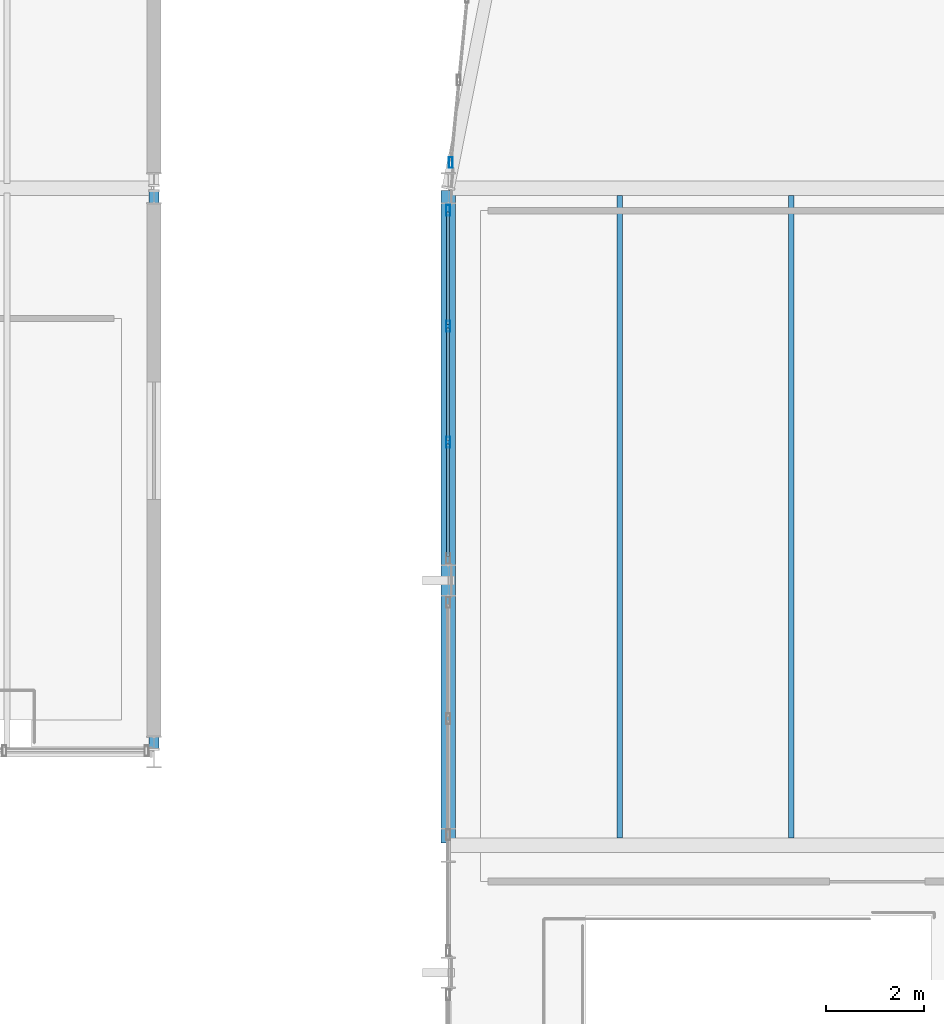
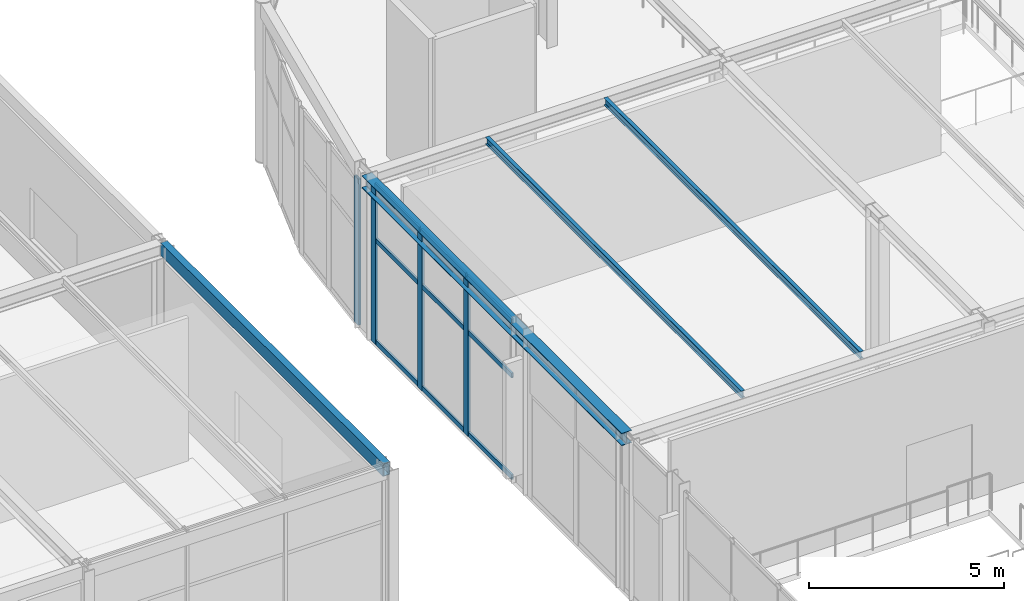
# One storey, part 53 of 195: 13 members, 4 beams, 2 elements without a shape of their own.
"""IFC4 building model written with IfcOpenShell, lengths in metres."""

from ifc_helpers import new_model, si_unit, direction, frame, origin, origin_2d, place, context, subcontext, project, spatial, hollow_rectangle, i_section, extrude, material, layer, layer_set, material_profile, profile_set, type_object, element, aggregate, save


model = new_model("IFC4")

# Units and contexts
model_context = context("Model", 3, precision=1e-05, world=origin(), true_north=direction((0.0, 1.0)))
body_context = subcontext(model_context, "Body", "Model", "MODEL_VIEW")
ifc_project = project(units=[si_unit("LENGTHUNIT", "METRE"), si_unit("AREAUNIT", "SQUARE_METRE"), si_unit("VOLUMEUNIT", "CUBIC_METRE"), si_unit("PLANEANGLEUNIT", "RADIAN"), si_unit("MASSUNIT", "GRAM", prefix="KILO")], contexts=[model_context])

# Site, building, storey
site_placement = place(None, origin())
site = spatial("IfcSite", under=ifc_project, at=site_placement, CompositionType="ELEMENT")
building_placement = place(site_placement, origin())
building = spatial("IfcBuilding", under=site, at=building_placement, Name="Marlcrest Central Station", CompositionType="ELEMENT")
storey_placement = place(building_placement, frame((0.0, 0.0, 9.800048828125)))
storey = spatial("IfcBuildingStorey", under=building, at=storey_placement, Name="L02", CompositionType="ELEMENT", Elevation=9.800048828125)

# Beams
ifc_material_1 = material(Name="Steel S355", Category="steel")
ifc_material_profile_1 = material_profile(ifc_material_1, i_section(OverallWidth=0.300048828125, OverallDepth=0.389892578125, WebThickness=0.010986328125, FlangeThickness=0.01904296875, FilletRadius=0.027099609375, at=origin_2d()), Name="HEA 400")
ifc_profile_set_1 = profile_set([ifc_material_profile_1], Name="Steel S355")
beam_type_1 = type_object("IfcBeamType", Name="BM-08", PredefinedType="BEAM", material=ifc_profile_set_1)
beam_1_placement = place(storey_placement, frame((87.0, 97.14990234375, 4.800048828125), z_axis=(0.0, 1.0, 0.0), x_axis=(-1.0, 0.0, 0.0)))
element("IfcBeam", 1, at=beam_1_placement, inside=storey, type_object=beam_type_1, Name="bm-BM-08-L02-01504", PredefinedType="BEAM", context=body_context, shape_type="SweptSolid", body=[
    extrude(i_section(OverallWidth=0.300048828125, OverallDepth=0.389892578125, WebThickness=0.010986328125, FlangeThickness=0.01904296875, FilletRadius=0.027099609375, at=origin_2d()), origin(), (0.0, 0.0, 1.0), 13.300048828125),
])
ifc_material_profile_2 = material_profile(ifc_material_1, i_section(OverallWidth=0.110107421875, OverallDepth=0.219970703125, WebThickness=0.005859375, FlangeThickness=0.00927734375, FilletRadius=0.011962890625, at=origin_2d()), Name="IPE 220")
ifc_profile_set_2 = profile_set([ifc_material_profile_2], Name="Steel S355")
beam_type_2 = type_object("IfcBeamType", Name="JS-02", PredefinedType="JOIST", material=ifc_profile_set_2)
for number, where, z_axis, x_axis, name in (
    (2, (90.5, 97.248046875, 4.885009765625), (0.0, 1.0, 0.0), (-1.0, 0.0, 0.0), "bm-JS-02-L02-01510"),
    (3, (94.0, 97.248046875, 4.885009765625), (0.0, 1.0, 0.0), (-1.0, 0.0, 0.0), "bm-JS-02-L02-01511"),
):
    element("IfcBeam", number, at=place(storey_placement, frame(where, z_axis=z_axis, x_axis=x_axis)), inside=storey, type_object=beam_type_2, Name=name, PredefinedType="JOIST", context=body_context, shape_type="SweptSolid", body=[
        extrude(i_section(OverallWidth=0.110107421875, OverallDepth=0.219970703125, WebThickness=0.005859375, FlangeThickness=0.00927734375, FilletRadius=0.011962890625, at=origin_2d()), origin(), (0.0, 0.0, 1.0), 13.10400390625),
    ])

# Curtain wall, member
ifc_material_2 = material(Name="Anodised aluminium and hurricane laminated glass", Category="aluminium")
ifc_layer = layer(ifc_material_2, 0.219970703125, Name="CW-U1")
ifc_layer_set = layer_set([ifc_layer], Name="Anodised aluminium and hurricane laminated glass")
curtain_wall_type = type_object("IfcCurtainWallType", Name="CW-U1", PredefinedType="USERDEFINED", material=ifc_layer_set)
curtain_wall_1_placement = place(storey_placement, origin())
curtain_wall_1 = element("IfcCurtainWall", 4, at=curtain_wall_1_placement, inside=storey, type_object=curtain_wall_type, Name="cw-L02-0067", ObjectType="UNITISED_CURTAIN_WALL", PredefinedType="USERDEFINED")
ifc_material_3 = material(Name="Anodised aluminium 6063-T6", Category="aluminium")
ifc_material_profile_3 = material_profile(ifc_material_3, hollow_rectangle(XDim=0.080078125, YDim=0.219970703125, WallThickness=0.006103515625, at=origin_2d()), Name="AA-RHS 220x80x6")
ifc_profile_set_3 = profile_set([ifc_material_profile_3], Name="Anodised aluminium 6063-T6")
member_type_1 = type_object("IfcMemberType", Name="ML-01", PredefinedType="MULLION", material=ifc_profile_set_3)
member_1_placement = place(storey_placement, frame((87.051513671875, 111.023193359375, -0.030029296875), z_axis=(0.0, 0.0, 1.0), x_axis=(1.0, 0.0, 0.0)))
member_1 = element("IfcMember", 5, at=member_1_placement, type_object=member_type_1, Name="cw-L02-0067-ml-0", PredefinedType="MULLION", context=body_context, shape_type="SweptSolid", body=[
    extrude(hollow_rectangle(XDim=0.080078125, YDim=0.219970703125, WallThickness=0.006103515625, at=origin_2d()), origin(), (0.0, 0.0, 1.0), 4.56005859375),
])
aggregate(curtain_wall_1, [member_1])

# Curtain wall, members
curtain_wall_2_placement = place(storey_placement, origin())
curtain_wall_2 = element("IfcCurtainWall", 6, at=curtain_wall_2_placement, inside=storey, type_object=curtain_wall_type, Name="cw-L02-0139", ObjectType="UNITISED_CURTAIN_WALL", PredefinedType="USERDEFINED")
member_2_placement = place(storey_placement, frame((87.0, 105.316650390625, -0.030029296875), z_axis=(0.0, 0.0, 1.0), x_axis=(1.0, 0.0, 0.0)))
member_2 = element("IfcMember", 7, at=member_2_placement, type_object=member_type_1, Name="cw-L02-0139-ml-1", PredefinedType="MULLION", context=body_context, shape_type="SweptSolid", body=[
    extrude(hollow_rectangle(XDim=0.080078125, YDim=0.219970703125, WallThickness=0.006103515625, at=origin_2d()), origin(), (0.0, 0.0, 1.0), 5.010009765625),
])
member_3_placement = place(storey_placement, frame((87.0, 107.683349609375, -0.030029296875), z_axis=(0.0, 0.0, 1.0), x_axis=(1.0, 0.0, 0.0)))
member_3 = element("IfcMember", 8, at=member_3_placement, type_object=member_type_1, Name="cw-L02-0139-ml-2", PredefinedType="MULLION", context=body_context, shape_type="SweptSolid", body=[
    extrude(hollow_rectangle(XDim=0.080078125, YDim=0.219970703125, WallThickness=0.006103515625, at=origin_2d()), origin(), (0.0, 0.0, 1.0), 5.010009765625),
])
member_4_placement = place(storey_placement, frame((87.0, 110.050048828125, -0.030029296875), z_axis=(0.0, 0.0, 1.0), x_axis=(1.0, 0.0, 0.0)))
member_4 = element("IfcMember", 9, at=member_4_placement, type_object=member_type_1, Name="cw-L02-0139-ml-3", PredefinedType="MULLION", context=body_context, shape_type="SweptSolid", body=[
    extrude(hollow_rectangle(XDim=0.080078125, YDim=0.219970703125, WallThickness=0.006103515625, at=origin_2d()), origin(), (0.0, 0.0, 1.0), 5.010009765625),
])

# Beam
ifc_material_profile_4 = material_profile(ifc_material_1, hollow_rectangle(XDim=0.199951171875, YDim=0.39990234375, WallThickness=0.01611328125, at=origin_2d()), Name="RHS 400x200x16")
ifc_profile_set_4 = profile_set([ifc_material_profile_4], Name="Steel S355")
beam_type_3 = type_object("IfcBeamType", Name="SP-01", PredefinedType="SPANDREL", material=ifc_profile_set_4)
beam_2_placement = place(storey_placement, frame((81.0, 99.050048828125, 4.77490234375), z_axis=(0.0, 1.0, 0.0), x_axis=(-1.0, 0.0, 0.0)))
element("IfcBeam", 10, at=beam_2_placement, inside=storey, type_object=beam_type_3, Name="bm-SP-01-L02-00411", PredefinedType="SPANDREL", context=body_context, shape_type="SweptSolid", body=[
    extrude(hollow_rectangle(XDim=0.199951171875, YDim=0.39990234375, WallThickness=0.01611328125, at=origin_2d()), origin(), (0.0, 0.0, 1.0), 11.39990234375),
])

# Member
ifc_material_profile_5 = material_profile(ifc_material_3, hollow_rectangle(XDim=0.06005859375, YDim=0.14990234375, WallThickness=0.00390625, at=origin_2d()), Name="AA-RHS 150x60x4")
ifc_profile_set_5 = profile_set([ifc_material_profile_5], Name="Anodised aluminium 6063-T6")
member_type_2 = type_object("IfcMemberType", Name="TR-01", PredefinedType="USERDEFINED", material=ifc_profile_set_5)
member_5_placement = place(storey_placement, frame((87.0, 102.988037109375, 0.0400390625), z_axis=(0.0, 1.0, 0.0), x_axis=(-1.0, 0.0, 0.0)))
member_5 = element("IfcMember", 11, at=member_5_placement, type_object=member_type_2, Name="cw-L02-0139-tr-0-sill", ObjectType="TRANSOM", PredefinedType="USERDEFINED", context=body_context, shape_type="SweptSolid", body=[
    extrude(hollow_rectangle(XDim=0.06005859375, YDim=0.14990234375, WallThickness=0.00390625, at=origin_2d()), origin(), (0.0, 0.0, 1.0), 2.290771484375),
])

member_6_placement = place(storey_placement, frame((87.0, 102.988037109375, 3.218017578125), z_axis=(0.0, 1.0, 0.0), x_axis=(-1.0, 0.0, 0.0)))
member_6 = element("IfcMember", 12, at=member_6_placement, type_object=member_type_2, Name="cw-L02-0139-tr-0-mid", ObjectType="TRANSOM", PredefinedType="USERDEFINED", context=body_context, shape_type="SweptSolid", body=[
    extrude(hollow_rectangle(XDim=0.06005859375, YDim=0.14990234375, WallThickness=0.00390625, at=origin_2d()), origin(), (0.0, 0.0, 1.0), 2.290771484375),
])

member_7_placement = place(storey_placement, frame((87.0, 102.988037109375, 4.909912109375), z_axis=(0.0, 1.0, 0.0), x_axis=(-1.0, 0.0, 0.0)))
member_7 = element("IfcMember", 13, at=member_7_placement, type_object=member_type_2, Name="cw-L02-0139-tr-0-head", ObjectType="TRANSOM", PredefinedType="USERDEFINED", context=body_context, shape_type="SweptSolid", body=[
    extrude(hollow_rectangle(XDim=0.06005859375, YDim=0.14990234375, WallThickness=0.00390625, at=origin_2d()), origin(), (0.0, 0.0, 1.0), 2.290771484375),
])

member_8_placement = place(storey_placement, frame((87.0, 105.354736328125, 0.0400390625), z_axis=(0.0, 1.0, 0.0), x_axis=(-1.0, 0.0, 0.0)))
member_8 = element("IfcMember", 14, at=member_8_placement, type_object=member_type_2, Name="cw-L02-0139-tr-1-sill", ObjectType="TRANSOM", PredefinedType="USERDEFINED", context=body_context, shape_type="SweptSolid", body=[
    extrude(hollow_rectangle(XDim=0.06005859375, YDim=0.14990234375, WallThickness=0.00390625, at=origin_2d()), origin(), (0.0, 0.0, 1.0), 2.29052734375),
])

member_9_placement = place(storey_placement, frame((87.0, 105.354736328125, 3.218017578125), z_axis=(0.0, 1.0, 0.0), x_axis=(-1.0, 0.0, 0.0)))
member_9 = element("IfcMember", 15, at=member_9_placement, type_object=member_type_2, Name="cw-L02-0139-tr-1-mid", ObjectType="TRANSOM", PredefinedType="USERDEFINED", context=body_context, shape_type="SweptSolid", body=[
    extrude(hollow_rectangle(XDim=0.06005859375, YDim=0.14990234375, WallThickness=0.00390625, at=origin_2d()), origin(), (0.0, 0.0, 1.0), 2.29052734375),
])

member_10_placement = place(storey_placement, frame((87.0, 105.354736328125, 4.909912109375), z_axis=(0.0, 1.0, 0.0), x_axis=(-1.0, 0.0, 0.0)))
member_10 = element("IfcMember", 16, at=member_10_placement, type_object=member_type_2, Name="cw-L02-0139-tr-1-head", ObjectType="TRANSOM", PredefinedType="USERDEFINED", context=body_context, shape_type="SweptSolid", body=[
    extrude(hollow_rectangle(XDim=0.06005859375, YDim=0.14990234375, WallThickness=0.00390625, at=origin_2d()), origin(), (0.0, 0.0, 1.0), 2.29052734375),
])

member_11_placement = place(storey_placement, frame((87.0, 107.72119140625, 0.0400390625), z_axis=(0.0, 1.0, 0.0), x_axis=(-1.0, 0.0, 0.0)))
member_11 = element("IfcMember", 17, at=member_11_placement, type_object=member_type_2, Name="cw-L02-0139-tr-2-sill", ObjectType="TRANSOM", PredefinedType="USERDEFINED", context=body_context, shape_type="SweptSolid", body=[
    extrude(hollow_rectangle(XDim=0.06005859375, YDim=0.14990234375, WallThickness=0.00390625, at=origin_2d()), origin(), (0.0, 0.0, 1.0), 2.290771484375),
])

member_12_placement = place(storey_placement, frame((87.0, 107.72119140625, 3.218017578125), z_axis=(0.0, 1.0, 0.0), x_axis=(-1.0, 0.0, 0.0)))
member_12 = element("IfcMember", 18, at=member_12_placement, type_object=member_type_2, Name="cw-L02-0139-tr-2-mid", ObjectType="TRANSOM", PredefinedType="USERDEFINED", context=body_context, shape_type="SweptSolid", body=[
    extrude(hollow_rectangle(XDim=0.06005859375, YDim=0.14990234375, WallThickness=0.00390625, at=origin_2d()), origin(), (0.0, 0.0, 1.0), 2.290771484375),
])

member_13_placement = place(storey_placement, frame((87.0, 107.72119140625, 4.909912109375), z_axis=(0.0, 1.0, 0.0), x_axis=(-1.0, 0.0, 0.0)))
member_13 = element("IfcMember", 19, at=member_13_placement, type_object=member_type_2, Name="cw-L02-0139-tr-2-head", ObjectType="TRANSOM", PredefinedType="USERDEFINED", context=body_context, shape_type="SweptSolid", body=[
    extrude(hollow_rectangle(XDim=0.06005859375, YDim=0.14990234375, WallThickness=0.00390625, at=origin_2d()), origin(), (0.0, 0.0, 1.0), 2.290771484375),
])

aggregate(curtain_wall_2, [member_2, member_3, member_4, member_5, member_6, member_7, member_8, member_9, member_10, member_11, member_12, member_13])

save(model, "model.ifc")
